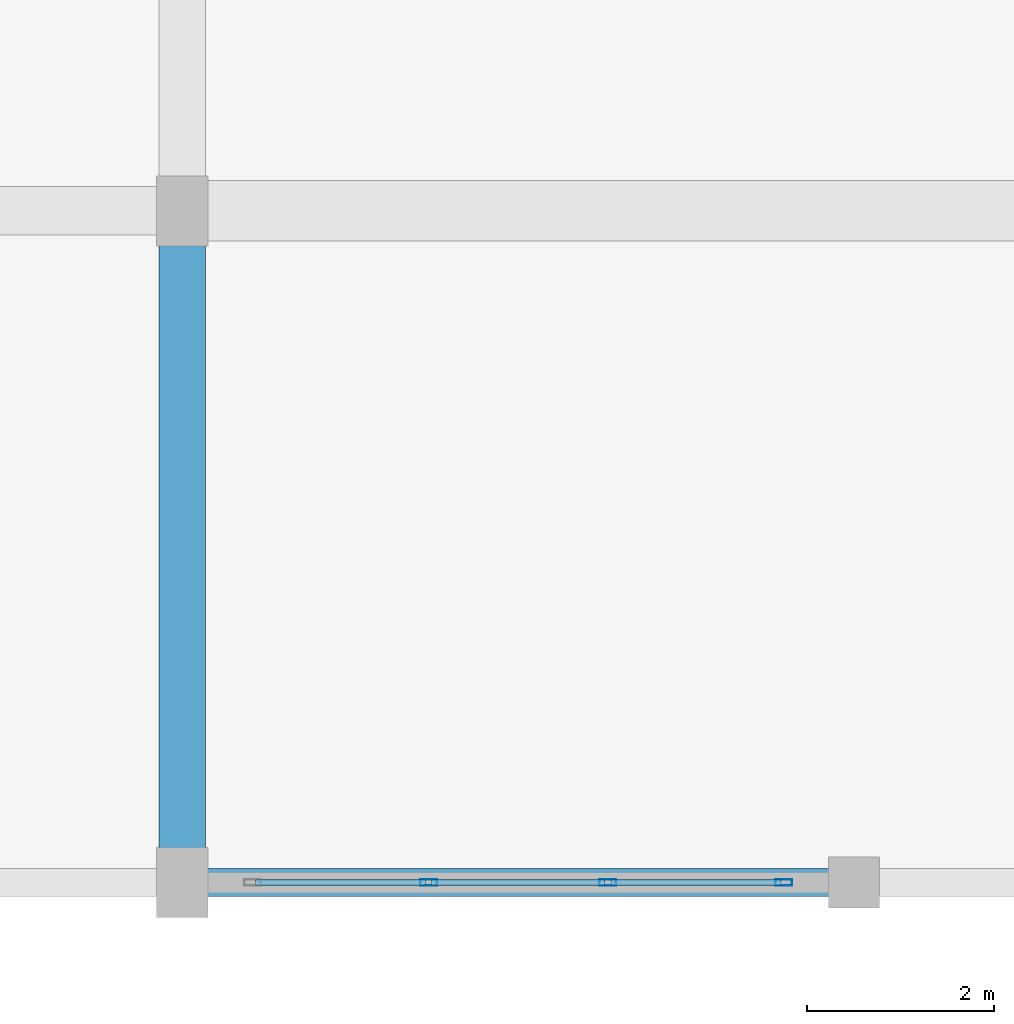
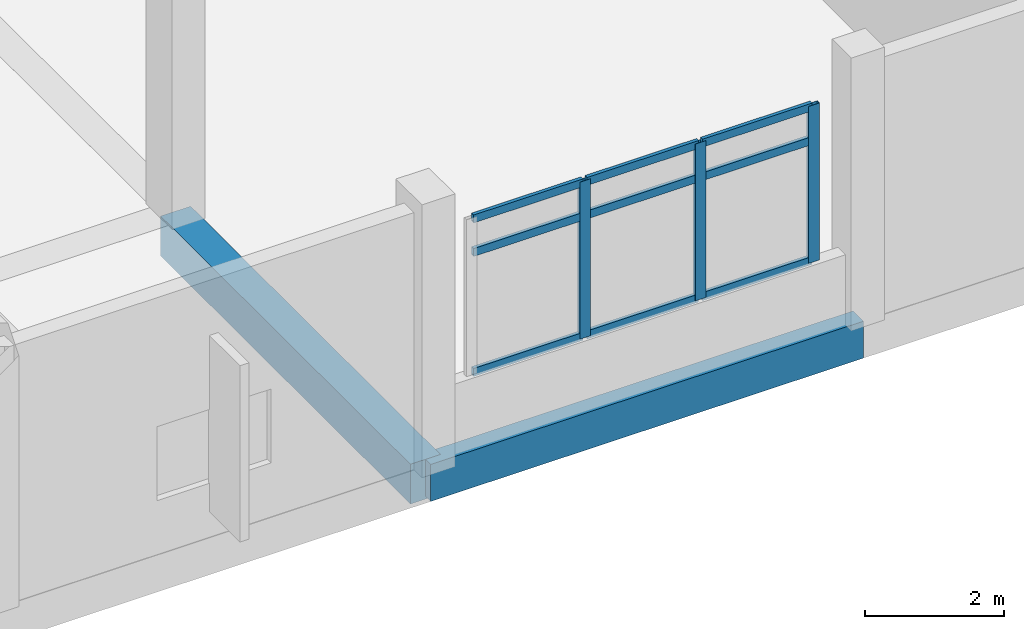
# One storey, part 81 of 140: 12 members, 2 beams, 1 element without a shape of its own.
"""IFC4 building model written with IfcOpenShell, lengths in metres."""

from ifc_helpers import new_model, si_unit, direction, frame, origin, origin_2d, place, context, subcontext, project, spatial, rectangle, hollow_rectangle, extrude, material, layer, layer_set, material_profile, profile_set, type_object, element, aggregate, save


model = new_model("IFC4")

# Units and contexts
model_context = context("Model", 3, precision=1e-05, world=origin(), true_north=direction((0.0, 1.0)))
body_context = subcontext(model_context, "Body", "Model", "MODEL_VIEW")
ifc_project = project(units=[si_unit("LENGTHUNIT", "METRE"), si_unit("AREAUNIT", "SQUARE_METRE"), si_unit("VOLUMEUNIT", "CUBIC_METRE"), si_unit("PLANEANGLEUNIT", "RADIAN"), si_unit("MASSUNIT", "GRAM", prefix="KILO")], contexts=[model_context])

# Site, building, storey
site_placement = place(None, origin())
site = spatial("IfcSite", under=ifc_project, at=site_placement, CompositionType="ELEMENT")
building_placement = place(site_placement, origin())
building = spatial("IfcBuilding", under=site, at=building_placement, Name="Seraya Terrace Polytechnic", CompositionType="ELEMENT")
storey_placement = place(building_placement, frame((0.0, 0.0, 9.60009765625)))
storey = spatial("IfcBuildingStorey", under=building, at=storey_placement, Name="L02", CompositionType="ELEMENT", Elevation=9.60009765625)

# Beam
ifc_material_1 = material(Name="Concrete C40/50", Category="concrete")
ifc_material_profile_1 = material_profile(ifc_material_1, rectangle(XDim=0.5, YDim=0.699951171875, at=origin_2d()), Name="RC 500x700")
ifc_profile_set_1 = profile_set([ifc_material_profile_1], Name="Concrete C40/50")
beam_type_1 = type_object("IfcBeamType", Name="BM-07", PredefinedType="BEAM", material=ifc_profile_set_1)
beam_1_placement = place(storey_placement, frame((136.800048828125, 0.0, -0.35009765625), z_axis=(0.0, 1.0, 0.0), x_axis=(-1.0, 0.0, 0.0)))
element("IfcBeam", 1, at=beam_1_placement, inside=storey, type_object=beam_type_1, Name="Beam BM-07 L02 Y (136.8, 0.0..7.2)", PredefinedType="BEAM", context=body_context, shape_type="SweptSolid", body=[
    extrude(rectangle(XDim=0.5, YDim=0.699951171875, at=origin_2d()), origin(), (0.0, 0.0, 1.0), 7.199951171875),
])

# Curtain wall, members
ifc_material_2 = material(Name="Anodised aluminium EN AW-6063 T6", Category="aluminium")
ifc_layer = layer(ifc_material_2, 0.179931640625, Name="CW-34")
ifc_layer_set = layer_set([ifc_layer], Name="Anodised aluminium EN AW-6063 T6")
curtain_wall_type = type_object("IfcCurtainWallType", Name="CW-34", PredefinedType="NOTDEFINED", material=ifc_layer_set)
curtain_wall_placement = place(storey_placement, origin())
curtain_wall = element("IfcCurtainWall", 2, at=curtain_wall_placement, inside=storey, type_object=curtain_wall_type, Name="Unitised curtain wall CW-34 (CW-L02-070)", PredefinedType="NOTDEFINED")
ifc_material_profile_2 = material_profile(ifc_material_2, hollow_rectangle(XDim=0.06494140625, YDim=0.179931640625, WallThickness=0.00390625, at=origin_2d()), Name="RHS 180x65x4.0")
ifc_profile_set_2 = profile_set([ifc_material_profile_2], Name="Anodised aluminium EN AW-6063 T6")
member_type_1 = type_object("IfcMemberType", Name="CWM-01", PredefinedType="MULLION", material=ifc_profile_set_2)
member_1_placement = place(storey_placement, frame((143.24755859375, 0.0, 1.239990234375), z_axis=(0.0, 0.0, 1.0), x_axis=(0.0, -1.0, 0.0)))
member_1 = element("IfcMember", 3, at=member_1_placement, type_object=member_type_1, Name="CW-34 mullion 1", PredefinedType="MULLION", context=body_context, shape_type="SweptSolid", body=[
    extrude(hollow_rectangle(XDim=0.06494140625, YDim=0.179931640625, WallThickness=0.00390625, at=origin_2d()), origin(), (0.0, 0.0, 1.0), 2.760009765625),
])
member_2_placement = place(storey_placement, frame((141.360107421875, 0.0, 1.239990234375), z_axis=(0.0, 0.0, 1.0), x_axis=(0.0, -1.0, 0.0)))
member_2 = element("IfcMember", 4, at=member_2_placement, type_object=member_type_1, Name="CW-34 mullion 2", PredefinedType="MULLION", context=body_context, shape_type="SweptSolid", body=[
    extrude(hollow_rectangle(XDim=0.06494140625, YDim=0.179931640625, WallThickness=0.00390625, at=origin_2d()), origin(), (0.0, 0.0, 1.0), 2.760009765625),
])
member_3_placement = place(storey_placement, frame((139.43994140625, 0.0, 1.239990234375), z_axis=(0.0, 0.0, 1.0), x_axis=(0.0, -1.0, 0.0)))
member_3 = element("IfcMember", 5, at=member_3_placement, type_object=member_type_1, Name="CW-34 mullion 3", PredefinedType="MULLION", context=body_context, shape_type="SweptSolid", body=[
    extrude(hollow_rectangle(XDim=0.06494140625, YDim=0.179931640625, WallThickness=0.00390625, at=origin_2d()), origin(), (0.0, 0.0, 1.0), 2.760009765625),
])
ifc_material_profile_3 = material_profile(ifc_material_2, hollow_rectangle(XDim=0.06005859375, YDim=0.139892578125, WallThickness=0.00341796875, at=origin_2d()), Name="RHS 140x60x3.5")
ifc_profile_set_3 = profile_set([ifc_material_profile_3], Name="Anodised aluminium EN AW-6063 T6")
member_type_2 = type_object("IfcMemberType", Name="CWT-01", PredefinedType="USERDEFINED", material=ifc_profile_set_3)
member_4_placement = place(storey_placement, frame((143.215087890625, 0.0, 1.27001953125), z_axis=(-1.0, 0.0, 0.0), x_axis=(0.0, -1.0, 0.0)))
member_4 = element("IfcMember", 6, at=member_4_placement, type_object=member_type_2, Name="CW-34 transom 1.1", ObjectType="TRANSOM", PredefinedType="USERDEFINED", context=body_context, shape_type="SweptSolid", body=[
    extrude(hollow_rectangle(XDim=0.06005859375, YDim=0.139892578125, WallThickness=0.00341796875, at=origin_2d()), origin(), (0.0, 0.0, 1.0), 1.822509765625),
])
member_5_placement = place(storey_placement, frame((143.215087890625, 0.0, 3.3798828125), z_axis=(-1.0, 0.0, 0.0), x_axis=(0.0, -1.0, 0.0)))
member_5 = element("IfcMember", 7, at=member_5_placement, type_object=member_type_2, Name="CW-34 transom 1.2", ObjectType="TRANSOM", PredefinedType="USERDEFINED", context=body_context, shape_type="SweptSolid", body=[
    extrude(hollow_rectangle(XDim=0.06005859375, YDim=0.139892578125, WallThickness=0.00341796875, at=origin_2d()), origin(), (0.0, 0.0, 1.0), 1.822509765625),
])
member_6_placement = place(storey_placement, frame((143.215087890625, 0.0, 3.969970703125), z_axis=(-1.0, 0.0, 0.0), x_axis=(0.0, -1.0, 0.0)))
member_6 = element("IfcMember", 8, at=member_6_placement, type_object=member_type_2, Name="CW-34 transom 1.3", ObjectType="TRANSOM", PredefinedType="USERDEFINED", context=body_context, shape_type="SweptSolid", body=[
    extrude(hollow_rectangle(XDim=0.06005859375, YDim=0.139892578125, WallThickness=0.00341796875, at=origin_2d()), origin(), (0.0, 0.0, 1.0), 1.822509765625),
])
member_7_placement = place(storey_placement, frame((141.327392578125, 0.0, 1.27001953125), z_axis=(-1.0, 0.0, 0.0), x_axis=(0.0, -1.0, 0.0)))
member_7 = element("IfcMember", 9, at=member_7_placement, type_object=member_type_2, Name="CW-34 transom 2.1", ObjectType="TRANSOM", PredefinedType="USERDEFINED", context=body_context, shape_type="SweptSolid", body=[
    extrude(hollow_rectangle(XDim=0.06005859375, YDim=0.139892578125, WallThickness=0.00341796875, at=origin_2d()), origin(), (0.0, 0.0, 1.0), 1.85498046875),
])
member_8_placement = place(storey_placement, frame((141.327392578125, 0.0, 3.3798828125), z_axis=(-1.0, 0.0, 0.0), x_axis=(0.0, -1.0, 0.0)))
member_8 = element("IfcMember", 10, at=member_8_placement, type_object=member_type_2, Name="CW-34 transom 2.2", ObjectType="TRANSOM", PredefinedType="USERDEFINED", context=body_context, shape_type="SweptSolid", body=[
    extrude(hollow_rectangle(XDim=0.06005859375, YDim=0.139892578125, WallThickness=0.00341796875, at=origin_2d()), origin(), (0.0, 0.0, 1.0), 1.85498046875),
])
member_9_placement = place(storey_placement, frame((141.327392578125, 0.0, 3.969970703125), z_axis=(-1.0, 0.0, 0.0), x_axis=(0.0, -1.0, 0.0)))
member_9 = element("IfcMember", 11, at=member_9_placement, type_object=member_type_2, Name="CW-34 transom 2.3", ObjectType="TRANSOM", PredefinedType="USERDEFINED", context=body_context, shape_type="SweptSolid", body=[
    extrude(hollow_rectangle(XDim=0.06005859375, YDim=0.139892578125, WallThickness=0.00341796875, at=origin_2d()), origin(), (0.0, 0.0, 1.0), 1.85498046875),
])
member_10_placement = place(storey_placement, frame((139.407470703125, 0.0, 1.27001953125), z_axis=(-1.0, 0.0, 0.0), x_axis=(0.0, -1.0, 0.0)))
member_10 = element("IfcMember", 12, at=member_10_placement, type_object=member_type_2, Name="CW-34 transom 3.1", ObjectType="TRANSOM", PredefinedType="USERDEFINED", context=body_context, shape_type="SweptSolid", body=[
    extrude(hollow_rectangle(XDim=0.06005859375, YDim=0.139892578125, WallThickness=0.00341796875, at=origin_2d()), origin(), (0.0, 0.0, 1.0), 1.822509765625),
])
member_11_placement = place(storey_placement, frame((139.407470703125, 0.0, 3.3798828125), z_axis=(-1.0, 0.0, 0.0), x_axis=(0.0, -1.0, 0.0)))
member_11 = element("IfcMember", 13, at=member_11_placement, type_object=member_type_2, Name="CW-34 transom 3.2", ObjectType="TRANSOM", PredefinedType="USERDEFINED", context=body_context, shape_type="SweptSolid", body=[
    extrude(hollow_rectangle(XDim=0.06005859375, YDim=0.139892578125, WallThickness=0.00341796875, at=origin_2d()), origin(), (0.0, 0.0, 1.0), 1.822509765625),
])
member_12_placement = place(storey_placement, frame((139.407470703125, 0.0, 3.969970703125), z_axis=(-1.0, 0.0, 0.0), x_axis=(0.0, -1.0, 0.0)))
member_12 = element("IfcMember", 14, at=member_12_placement, type_object=member_type_2, Name="CW-34 transom 3.3", ObjectType="TRANSOM", PredefinedType="USERDEFINED", context=body_context, shape_type="SweptSolid", body=[
    extrude(hollow_rectangle(XDim=0.06005859375, YDim=0.139892578125, WallThickness=0.00341796875, at=origin_2d()), origin(), (0.0, 0.0, 1.0), 1.822509765625),
])
aggregate(curtain_wall, [member_1, member_2, member_3, member_4, member_5, member_6, member_7, member_8, member_9, member_10, member_11, member_12])

# Beam
ifc_material_profile_4 = material_profile(ifc_material_1, rectangle(XDim=0.300048828125, YDim=0.64990234375, at=origin_2d()), Name="RC 300x650")
ifc_profile_set_4 = profile_set([ifc_material_profile_4], Name="Concrete C40/50")
beam_type_2 = type_object("IfcBeamType", Name="SP-01", PredefinedType="SPANDREL", material=ifc_profile_set_4)
beam_2_placement = place(storey_placement, frame((136.800048828125, 0.0, -0.3251953125), z_axis=(1.0, 0.0, 0.0), x_axis=(0.0, 1.0, 0.0)))
element("IfcBeam", 15, at=beam_2_placement, inside=storey, type_object=beam_type_2, Name="Beam SP-01 L02 X (136.8..144.0, 0.0)", PredefinedType="SPANDREL", context=body_context, shape_type="SweptSolid", body=[
    extrude(rectangle(XDim=0.300048828125, YDim=0.64990234375, at=origin_2d()), origin(), (0.0, 0.0, 1.0), 7.199951171875),
])

save(model, "model.ifc")
